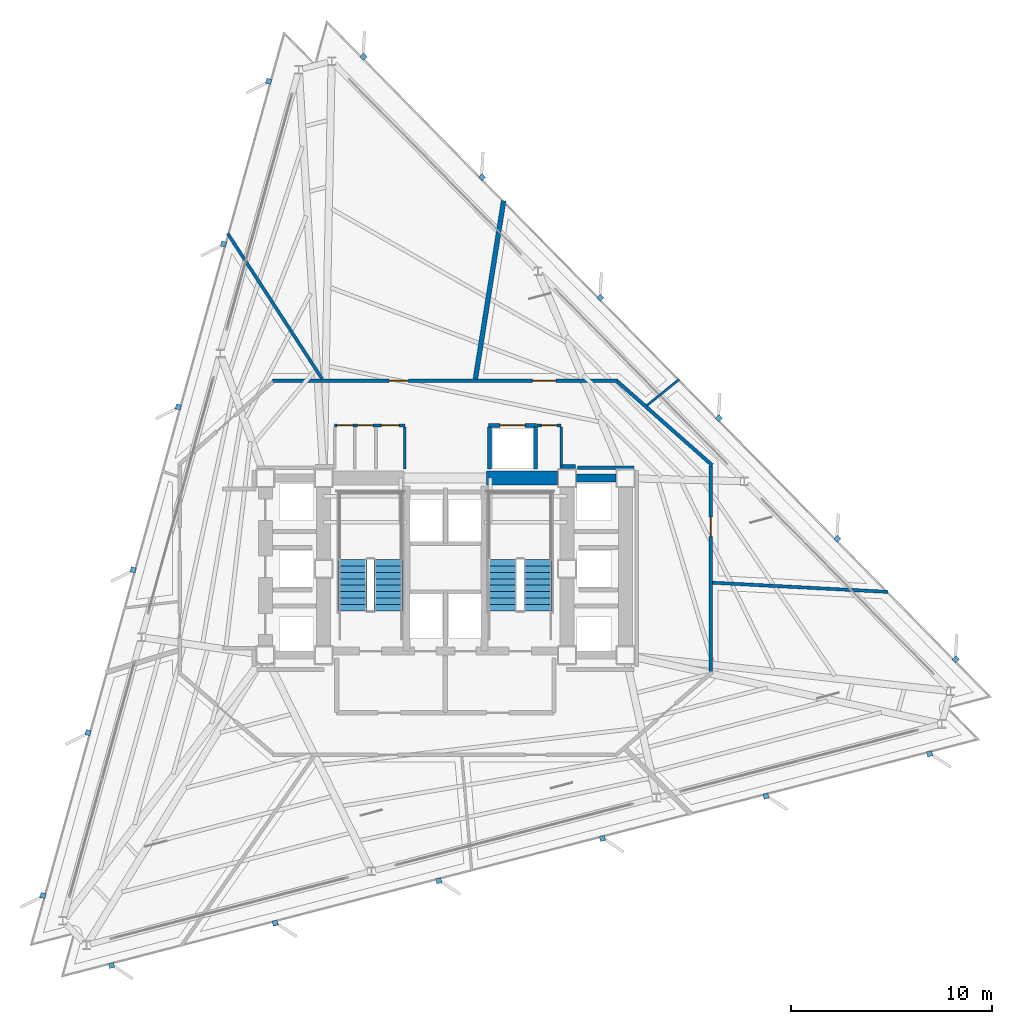
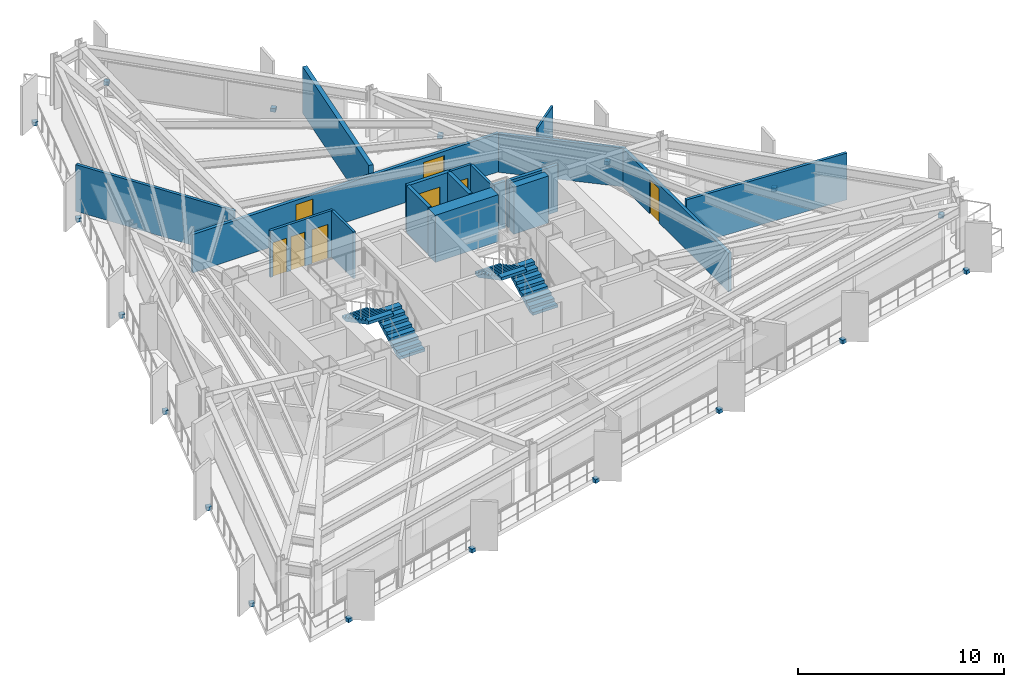
# One storey, part 8 of 11: 18 discrete accessories, 18 walls, 8 doors, 4 stair flights, 8 openings, 2 elements without a shape of their own.
"""IFC4 building model written with IfcOpenShell, lengths in metres."""

from ifc_helpers import new_model, si_unit, direction, frame, frame_2d, origin, origin_2d, place, context, subcontext, project, spatial, polyline, rectangle, outline, extrude, material, layer, layer_set, type_object, element, fill, aggregate, save


model = new_model("IFC4")

# Units and contexts
model_context = context("Model", 3, precision=1e-05, world=origin(), true_north=direction((0.0, 1.0)))
body_context = subcontext(model_context, "Body", "Model", "MODEL_VIEW")
ifc_project = project(units=[si_unit("LENGTHUNIT", "METRE"), si_unit("AREAUNIT", "SQUARE_METRE"), si_unit("VOLUMEUNIT", "CUBIC_METRE"), si_unit("PLANEANGLEUNIT", "RADIAN"), si_unit("MASSUNIT", "GRAM", prefix="KILO")], contexts=[model_context])

# Site, building, storey
site_placement = place(None, origin())
site = spatial("IfcSite", under=ifc_project, at=site_placement, CompositionType="ELEMENT")
building_placement = place(site_placement, origin())
building = spatial("IfcBuilding", under=site, at=building_placement, Name="Rocaltana Carrier Exchange", CompositionType="ELEMENT")
storey_placement = place(building_placement, frame((0.0, 0.0, 91.679931640625)))
storey = spatial("IfcBuildingStorey", under=building, at=storey_placement, Name="L28", CompositionType="ELEMENT", Elevation=91.679931640625)

# Walls
ifc_material_1 = material(Name="Double Acoustic Gypsum Partition", Category="gypsum")
ifc_layer_1 = layer(ifc_material_1, 0.159912109375)
ifc_layer_set_1 = layer_set([ifc_layer_1], Name="Double Acoustic Gypsum Partition")
wall_type_1 = type_object("IfcWallType", Name="Acoustic Studio Partition 160 EI60", PredefinedType="PARTITIONING", material=ifc_layer_set_1)
wall_1_placement = place(storey_placement, frame((13.280029296875, -0.696044921875, 0.0), z_axis=(0.0, 0.0, 1.0), x_axis=(0.998630385284, -0.052319724644, 0.0)))
element("IfcWall", 1, at=wall_1_placement, inside=storey, type_object=wall_type_1, Name="L28 Suite Divider Wall D6", PredefinedType="PARTITIONING", context=body_context, shape_type="SweptSolid", body=[
    extrude(rectangle(XDim=8.7353515625, YDim=0.159912109375, at=frame_2d((4.36767578125, 0.0))), origin(), (0.0, 0.0, 1.0), 2.76318359375),
])
wall_2_placement = place(storey_placement, frame((-6.123779296875, 9.429931640625, 0.0), z_axis=(0.0, 0.0, 1.0), x_axis=(-0.544640325453, 0.838669729924, 0.0)))
element("IfcWall", 2, at=wall_2_placement, inside=storey, type_object=wall_type_1, Name="L28 Suite Divider Wall D9", PredefinedType="PARTITIONING", context=body_context, shape_type="SweptSolid", body=[
    extrude(rectangle(XDim=8.63134765625, YDim=0.159912109375, at=frame_2d((4.315673828125, 0.0))), origin(), (0.0, 0.0, 1.0), 2.76318359375),
])
ifc_material_2 = material(Name="Concrete C50/60", Category="concrete")
ifc_layer_2 = layer(ifc_material_2, 0.39990234375)
ifc_layer_set_2 = layer_set([ifc_layer_2], Name="Concrete C50/60")
wall_type_2 = type_object("IfcWallType", Name="Core Internal Shear Wall 400", PredefinedType="SHEAR", material=ifc_layer_set_2)
wall_3_placement = place(storey_placement, frame((6.52490234375, 4.5, 0.0), z_axis=(0.0, 0.0, 1.0), x_axis=(1.0, 0.0, 0.0)))
element("IfcWall", 3, at=wall_3_placement, inside=storey, type_object=wall_type_2, Name="L28 Core Shear Wall CW-EWN", PredefinedType="SHEAR", context=body_context, shape_type="SweptSolid", body=[
    extrude(rectangle(XDim=1.9501953125, YDim=0.39990234375, at=frame_2d((0.97509765625, 0.0))), origin(), (0.0, 0.0, 1.0), 2.7880859375),
])
ifc_material_3 = material(Name="Concrete C60/75", Category="concrete")
ifc_layer_3 = layer(ifc_material_3, 0.699951171875)
ifc_layer_set_3 = layer_set([ifc_layer_3], Name="Concrete C60/75")
wall_type_3 = type_object("IfcWallType", Name="Core Shear Wall 700", PredefinedType="SHEAR", material=ifc_layer_set_3)
wall_4_placement = place(storey_placement, frame((2.050048828125, 4.5, 0.0), z_axis=(0.0, 0.0, 1.0), x_axis=(1.0, 0.0, 0.0)))
element("IfcWall", 4, at=wall_4_placement, inside=storey, type_object=wall_type_3, Name="L28 Core Shear Wall CW-N2", PredefinedType="SHEAR", context=body_context, shape_type="SweptSolid", body=[
    extrude(rectangle(XDim=3.52490234375, YDim=0.699951171875, at=frame_2d((1.762451171875, 0.0))), origin(), (0.0, 0.0, 1.0), 2.7880859375),
])

# Wall, openings, doors
ifc_material_4 = material(Name="Gypsum & Steel Stud Partition", Category="steel")
ifc_layer_4 = layer(ifc_material_4, 0.179931640625)
ifc_layer_set_4 = layer_set([ifc_layer_4], Name="Gypsum & Steel Stud Partition")
wall_type_4 = type_object("IfcWallType", Name="Corridor Fire Partition 180 EI60", PredefinedType="PARTITIONING", material=ifc_layer_set_4)
wall_5_placement = place(storey_placement, frame((-8.590087890625, 9.35009765625, 0.0), z_axis=(0.0, 0.0, 1.0), x_axis=(1.0, 0.0, 0.0)))
wall_5 = element("IfcWall", 5, at=wall_5_placement, inside=storey, type_object=wall_type_4, Name="L28 Corridor Partition 1", PredefinedType="PARTITIONING", context=body_context, shape_type="SweptSolid", body=[
    extrude(rectangle(XDim=17.18017578125, YDim=0.179931640625, at=frame_2d((8.590087890625, 0.0))), origin(), (0.0, 0.0, 1.0), 2.277099609375),
])
opening_1_placement = place(wall_5_placement, frame((12.911865234375, 0.0, 0.0)))
opening_1 = element("IfcOpeningElement", 6, at=opening_1_placement, cuts=wall_5, Name="Opening D-SU120", PredefinedType="OPENING", context=body_context, shape_type="SweptSolid", body=[
    extrude(rectangle(XDim=1.179931640625, YDim=2.02001953125, at=frame_2d((0.58984375, 1.010009765625))), frame((0.0, 0.099853515625, 0.0), z_axis=(0.0, -1.0, 0.0), x_axis=(1.0, 0.0, 0.0)), (0.0, 0.0, 1.0), 0.199951171875),
])
opening_2_placement = place(wall_5_placement, frame((5.78955078125, 0.0, 0.0)))
opening_2 = element("IfcOpeningElement", 7, at=opening_2_placement, cuts=wall_5, Name="Opening D-RM098", PredefinedType="OPENING", context=body_context, shape_type="SweptSolid", body=[
    extrude(rectangle(XDim=0.9599609375, YDim=2.02001953125, at=frame_2d((0.47998046875, 1.010009765625))), frame((0.0, 0.099853515625, 0.0), z_axis=(0.0, -1.0, 0.0), x_axis=(1.0, 0.0, 0.0)), (0.0, 0.0, 1.0), 0.199951171875),
])
ifc_material_5 = material(Name="Engineered Hardwood Timber", Category="wood")
door_type_1 = type_object("IfcDoorType", Name="Suite Double Entrance Door 1180x2020", OperationType="NOTDEFINED", PredefinedType="DOOR", material=ifc_material_5)
door_1_placement = place(opening_1_placement, origin())
door_1 = element("IfcDoor", 8, at=door_1_placement, inside=storey, type_object=door_type_1, Name="L28 Carrier Peering Suite Entrance Door", OperationType="SINGLE_SWING_RIGHT", OverallHeight=2.02001953125, OverallWidth=1.179931640625, PredefinedType="DOOR", context=body_context, shape_type="SweptSolid", body=[
    extrude(rectangle(XDim=1.179931640625, YDim=2.02001953125, at=frame_2d((0.58984375, 1.010009765625))), frame((0.0, 0.02490234375, 0.0), z_axis=(0.0, -1.0, 0.0), x_axis=(1.0, 0.0, 0.0)), (0.0, 0.0, 1.0), 0.050048828125),
])
fill(opening_1, door_1)
ifc_material_6 = material(Name="Engineered Hardwood Timber", Category="wood")
door_type_2 = type_object("IfcDoorType", Name="Workspace Single Door 960x2020", OperationType="NOTDEFINED", PredefinedType="DOOR", material=ifc_material_6)
door_2_placement = place(opening_2_placement, origin())
door_2 = element("IfcDoor", 9, at=door_2_placement, inside=storey, type_object=door_type_2, Name="L28 Quiet Focus Lounge Entrance Door", OperationType="SINGLE_SWING_LEFT", OverallHeight=2.02001953125, OverallWidth=0.9599609375, PredefinedType="DOOR", context=body_context, shape_type="SweptSolid", body=[
    extrude(rectangle(XDim=0.9599609375, YDim=2.02001953125, at=frame_2d((0.47998046875, 1.010009765625))), frame((0.0, 0.02490234375, 0.0), z_axis=(0.0, -1.0, 0.0), x_axis=(1.0, 0.0, 0.0)), (0.0, 0.0, 1.0), 0.050048828125),
])
fill(opening_2, door_2)

# Wall
wall_6_placement = place(storey_placement, frame((8.5673828125, 9.290283203125, 0.0), z_axis=(0.0, 0.0, 1.0), x_axis=(0.749626463267, -0.66186113768, 0.0)))
element("IfcWall", 10, at=wall_6_placement, inside=storey, type_object=wall_type_4, Name="L28 Corridor Partition 2", PredefinedType="PARTITIONING", context=body_context, shape_type="SweptSolid", body=[
    extrude(rectangle(XDim=6.27001953125, YDim=0.179931640625, at=frame_2d((3.135009765625, 0.0))), origin(), (0.0, 0.0, 1.0), 2.277099609375),
])

# Wall, opening, door
wall_7_placement = place(storey_placement, frame((13.199951171875, 5.110107421875, 0.0), z_axis=(0.0, 0.0, 1.0), x_axis=(0.0, -1.0, 0.0)))
wall_7 = element("IfcWall", 11, at=wall_7_placement, inside=storey, type_object=wall_type_4, Name="L28 Corridor Partition 3", PredefinedType="PARTITIONING", context=body_context, shape_type="SweptSolid", body=[
    extrude(rectangle(XDim=10.22021484375, YDim=0.179931640625, at=frame_2d((5.110107421875, 0.0))), origin(), (0.0, 0.0, 1.0), 2.277099609375),
])
opening_3_placement = place(wall_7_placement, frame((2.552978515625, 0.0, 0.0)))
opening_3 = element("IfcOpeningElement", 12, at=opening_3_placement, cuts=wall_7, Name="Opening D-RM098", PredefinedType="OPENING", context=body_context, shape_type="SweptSolid", body=[
    extrude(rectangle(XDim=0.9599609375, YDim=2.02001953125, at=frame_2d((0.47998046875, 1.010009765625))), frame((0.0, 0.099853515625, 0.0), z_axis=(0.0, -1.0, 0.0), x_axis=(1.0, 0.0, 0.0)), (0.0, 0.0, 1.0), 0.199951171875),
])
door_3_placement = place(opening_3_placement, origin())
door_3 = element("IfcDoor", 13, at=door_3_placement, inside=storey, type_object=door_type_2, Name="L28 Peering Conference Room Entrance Door", OperationType="SINGLE_SWING_LEFT", OverallHeight=2.02001953125, OverallWidth=0.9599609375, PredefinedType="DOOR", context=body_context, shape_type="SweptSolid", body=[
    extrude(rectangle(XDim=0.9599609375, YDim=2.02001953125, at=frame_2d((0.47998046875, 1.010009765625))), frame((0.0, 0.02490234375, 0.0), z_axis=(0.0, -1.0, 0.0), x_axis=(1.0, 0.0, 0.0)), (0.0, 0.0, 1.0), 0.050048828125),
])
fill(opening_3, door_3)

# Walls
wall_8_placement = place(storey_placement, frame((9.3701171875, 5.010009765625, 0.0), z_axis=(0.0, 0.0, 1.0), x_axis=(-1.0, 0.0, 0.0)))
element("IfcWall", 14, at=wall_8_placement, inside=storey, type_object=wall_type_4, Name="L28 Corridor Partition 18", PredefinedType="PARTITIONING", context=body_context, shape_type="SweptSolid", body=[
    extrude(rectangle(XDim=2.807861328125, YDim=0.179931640625, at=frame_2d((1.40380859375, 0.0))), origin(), (0.0, 0.0, 1.0), 2.76318359375),
])
wall_9_placement = place(storey_placement, frame((6.469970703125, 5.080078125, 0.0), z_axis=(0.0, 0.0, 1.0), x_axis=(-1.0, 0.0, 0.0)))
element("IfcWall", 15, at=wall_9_placement, inside=storey, type_object=wall_type_4, Name="L28 Corridor Partition 19", PredefinedType="PARTITIONING", context=body_context, shape_type="SweptSolid", body=[
    extrude(rectangle(XDim=0.679931640625, YDim=0.179931640625, at=frame_2d((0.33984375, 0.0))), origin(), (0.0, 0.0, 1.0), 2.76318359375),
])
ifc_material_7 = material(Name="Aluminium 6063-T6 & Acoustic Glass", Category="aluminium")
ifc_layer_5 = layer(ifc_material_7, 0.114990234375)
ifc_layer_set_5 = layer_set([ifc_layer_5], Name="Aluminium 6063-T6 & Acoustic Glass")
wall_type_5 = type_object("IfcWallType", Name="Demountable Glazed Lab Partition 115", PredefinedType="MOVABLE", material=ifc_layer_set_5)
wall_10_placement = place(storey_placement, frame((10.020263671875, 8.1142578125, 0.0), z_axis=(0.0, 0.0, 1.0), x_axis=(0.777156579316, 0.62930727886, 0.0)))
element("IfcWall", 16, at=wall_10_placement, inside=storey, type_object=wall_type_5, Name="L28 Suite Divider Wall D7", PredefinedType="MOVABLE", context=body_context, shape_type="SweptSolid", body=[
    extrude(rectangle(XDim=2.060791015625, YDim=0.114990234375, at=frame_2d((1.0302734375, 0.0))), origin(), (0.0, 0.0, 1.0), 2.76318359375),
])
ifc_material_8 = material(Name="Acoustic Calcium Silicate Partition", Category="gypsum")
ifc_layer_6 = layer(ifc_material_8, 0.239990234375)
ifc_layer_set_6 = layer_set([ifc_layer_6], Name="Acoustic Calcium Silicate Partition")
wall_type_6 = type_object("IfcWallType", Name="Heavy Lab Partition 240 EI90", PredefinedType="PARTITIONING", material=ifc_layer_set_6)
wall_11_placement = place(storey_placement, frame((1.49365234375, 9.429931640625, 0.0), z_axis=(0.0, 0.0, 1.0), x_axis=(0.156413985488, 0.98769158402, 0.0)))
element("IfcWall", 17, at=wall_11_placement, inside=storey, type_object=wall_type_6, Name="L28 Suite Divider Wall D8", PredefinedType="PARTITIONING", context=body_context, shape_type="SweptSolid", body=[
    extrude(rectangle(XDim=8.97021484375, YDim=0.239990234375, at=frame_2d((4.485107421875, 0.0))), origin(), (0.0, 0.0, 1.0), 2.76318359375),
])
ifc_material_9 = material(Name="Reinforced Concrete Block C35/45", Category="concrete")
ifc_layer_7 = layer(ifc_material_9, 0.199951171875)
ifc_layer_set_7 = layer_set([ifc_layer_7], Name="Reinforced Concrete Block C35/45")
wall_type_7 = type_object("IfcWallType", Name="Lift Hoistway Enclosure Wall 200 EI120", PredefinedType="PARTITIONING", material=ifc_layer_set_7)
for number, where, z_axis, x_axis, name in (
    (18, (2.199951171875, 4.949951171875, 0.0), (0.0, 0.0, 1.0), (0.0, 1.0, 0.0), "L28 Goods Lift West Wall"),
    (19, (4.47998046875, 4.949951171875, 0.0), (0.0, 0.0, 1.0), (0.0, 1.0, 0.0), "L28 Goods Lift East Wall"),
):
    element("IfcWall", number, at=place(storey_placement, frame(where, z_axis=z_axis, x_axis=x_axis)), inside=storey, type_object=wall_type_7, Name=name, PredefinedType="PARTITIONING", context=body_context, shape_type="SweptSolid", body=[
        extrude(rectangle(XDim=2.10009765625, YDim=0.199951171875, at=frame_2d((1.050048828125, 0.0))), origin(), (0.0, 0.0, 1.0), 2.76318359375),
    ])

# Wall, opening, door
wall_12_placement = place(storey_placement, frame((2.14990234375, 7.1201171875, 0.0), z_axis=(0.0, 0.0, 1.0), x_axis=(1.0, 0.0, 0.0)))
wall_12 = element("IfcWall", 20, at=wall_12_placement, inside=storey, type_object=wall_type_7, Name="L28 Goods Lift Front Wall", PredefinedType="PARTITIONING", context=body_context, shape_type="SweptSolid", body=[
    extrude(rectangle(XDim=2.380126953125, YDim=0.199951171875, at=frame_2d((1.18994140625, 0.0))), origin(), (0.0, 0.0, 1.0), 2.76318359375),
])
opening_4_placement = place(wall_12_placement, frame((0.56005859375, 0.0, 0.0)))
opening_4 = element("IfcOpeningElement", 21, at=opening_4_placement, cuts=wall_12, Name="Opening LD-130", PredefinedType="OPENING", context=body_context, shape_type="SweptSolid", body=[
    extrude(rectangle(XDim=1.260009765625, YDim=2.06005859375, at=frame_2d((0.6298828125, 1.030029296875))), frame((0.0, 0.10986328125, 0.0), z_axis=(0.0, -1.0, 0.0), x_axis=(1.0, 0.0, 0.0)), (0.0, 0.0, 1.0), 0.219970703125),
])
ifc_material_10 = material(Name="Brushed Stainless Sliding Door Leaf", Category="steel")
door_type_3 = type_object("IfcDoorType", Name="Goods Lift Landing Sliding Door 1260x2060", OperationType="NOTDEFINED", PredefinedType="DOOR", material=ifc_material_10)
door_4_placement = place(opening_4_placement, origin())
door_4 = element("IfcDoor", 22, at=door_4_placement, inside=storey, type_object=door_type_3, Name="L28 Goods Lift GL-1 Landing Door", OperationType="SLIDING_TO_LEFT", OverallHeight=2.06005859375, OverallWidth=1.260009765625, PredefinedType="DOOR", context=body_context, shape_type="SweptSolid", body=[
    extrude(rectangle(XDim=1.260009765625, YDim=2.06005859375, at=frame_2d((0.6298828125, 1.030029296875))), frame((0.0, 0.02490234375, 0.0), z_axis=(0.0, -1.0, 0.0), x_axis=(1.0, 0.0, 0.0)), (0.0, 0.0, 1.0), 0.050048828125),
])
fill(opening_4, door_4)

# Wall
ifc_material_11 = material(Name="Moisture-Resistant Masonry C30/37", Category="masonry")
ifc_layer_8 = layer(ifc_material_11, 0.139892578125)
ifc_layer_set_8 = layer_set([ifc_layer_8], Name="Moisture-Resistant Masonry C30/37")
wall_type_8 = type_object("IfcWallType", Name="Wet-Area Sanitary Partition 140", PredefinedType="PARTITIONING", material=ifc_layer_set_8)
wall_13_placement = place(storey_placement, frame((-2.02001953125, 4.949951171875, 0.0), z_axis=(0.0, 0.0, 1.0), x_axis=(0.0, 1.0, 0.0)))
element("IfcWall", 23, at=wall_13_placement, inside=storey, type_object=wall_type_8, Name="L28 Sanitary East Wall", PredefinedType="PARTITIONING", context=body_context, shape_type="SweptSolid", body=[
    extrude(rectangle(XDim=2.10009765625, YDim=0.139892578125, at=frame_2d((1.050048828125, 0.0))), origin(), (0.0, 0.0, 1.0), 2.76318359375),
])

# Wall, openings, doors
wall_14_placement = place(storey_placement, frame((-5.52001953125, 7.1201171875, 0.0), z_axis=(0.0, 0.0, 1.0), x_axis=(1.0, 0.0, 0.0)))
wall_14 = element("IfcWall", 24, at=wall_14_placement, inside=storey, type_object=wall_type_8, Name="L28 Sanitary North Wall", PredefinedType="PARTITIONING", context=body_context, shape_type="SweptSolid", body=[
    extrude(rectangle(XDim=3.52001953125, YDim=0.139892578125, at=frame_2d((1.760009765625, 0.0))), origin(), (0.0, 0.0, 1.0), 2.76318359375),
])
opening_5_placement = place(wall_14_placement, frame((0.139892578125, 0.0, 0.0)))
opening_5 = element("IfcOpeningElement", 25, at=opening_5_placement, cuts=wall_14, Name="Opening D-RS082", PredefinedType="OPENING", context=body_context, shape_type="SweptSolid", body=[
    extrude(rectangle(XDim=0.780029296875, YDim=2.010009765625, at=frame_2d((0.39013671875, 1.0048828125))), frame((0.0, 0.079833984375, 0.0), z_axis=(0.0, -1.0, 0.0), x_axis=(1.0, 0.0, 0.0)), (0.0, 0.0, 1.0), 0.159912109375),
])
opening_6_placement = place(wall_14_placement, frame((1.14990234375, 0.0, 0.0)))
opening_6 = element("IfcOpeningElement", 26, at=opening_6_placement, cuts=wall_14, Name="Opening D-RS082", PredefinedType="OPENING", context=body_context, shape_type="SweptSolid", body=[
    extrude(rectangle(XDim=0.780029296875, YDim=2.010009765625, at=frame_2d((0.39013671875, 1.0048828125))), frame((0.0, 0.079833984375, 0.0), z_axis=(0.0, -1.0, 0.0), x_axis=(1.0, 0.0, 0.0)), (0.0, 0.0, 1.0), 0.159912109375),
])
opening_7_placement = place(wall_14_placement, frame((2.340087890625, 0.0, 0.0)))
opening_7 = element("IfcOpeningElement", 27, at=opening_7_placement, cuts=wall_14, Name="Opening D-WC090", PredefinedType="OPENING", context=body_context, shape_type="SweptSolid", body=[
    extrude(rectangle(XDim=0.8798828125, YDim=2.02001953125, at=frame_2d((0.43994140625, 1.010009765625))), frame((0.0, 0.079833984375, 0.0), z_axis=(0.0, -1.0, 0.0), x_axis=(1.0, 0.0, 0.0)), (0.0, 0.0, 1.0), 0.159912109375),
])
ifc_material_12 = material(Name="High-Pressure Laminate Timber", Category="wood")
door_type_4 = type_object("IfcDoorType", Name="Restroom & Accessible WC Door 880x2020", OperationType="NOTDEFINED", PredefinedType="DOOR", material=ifc_material_12)
door_5_placement = place(opening_7_placement, origin())
door_5 = element("IfcDoor", 28, at=door_5_placement, inside=storey, type_object=door_type_4, Name="L28 Accessible Toilet Door", OperationType="SINGLE_SWING_RIGHT", OverallHeight=2.02001953125, OverallWidth=0.8798828125, PredefinedType="DOOR", context=body_context, shape_type="SweptSolid", body=[
    extrude(rectangle(XDim=0.8798828125, YDim=2.02001953125, at=frame_2d((0.43994140625, 1.010009765625))), frame((0.0, 0.02490234375, 0.0), z_axis=(0.0, -1.0, 0.0), x_axis=(1.0, 0.0, 0.0)), (0.0, 0.0, 1.0), 0.050048828125),
])
fill(opening_7, door_5)
ifc_material_13 = material(Name="Hollow Metal Access Door Leaf", Category="steel")
door_type_5 = type_object("IfcDoorType", Name="Riser & Service Closet Door 780x2010", OperationType="NOTDEFINED", PredefinedType="DOOR", material=ifc_material_13)
door_6_placement = place(opening_5_placement, origin())
door_6 = element("IfcDoor", 29, at=door_6_placement, inside=storey, type_object=door_type_5, Name="L28 Cleaner Store Door", OperationType="SINGLE_SWING_RIGHT", OverallHeight=2.010009765625, OverallWidth=0.780029296875, PredefinedType="DOOR", context=body_context, shape_type="SweptSolid", body=[
    extrude(rectangle(XDim=0.780029296875, YDim=2.010009765625, at=frame_2d((0.39013671875, 1.0048828125))), frame((0.0, 0.02490234375, 0.0), z_axis=(0.0, -1.0, 0.0), x_axis=(1.0, 0.0, 0.0)), (0.0, 0.0, 1.0), 0.050048828125),
])
fill(opening_5, door_6)
door_7_placement = place(opening_6_placement, origin())
door_7 = element("IfcDoor", 30, at=door_7_placement, inside=storey, type_object=door_type_5, Name="L28 Staff Restroom Door", OperationType="SINGLE_SWING_LEFT", OverallHeight=2.010009765625, OverallWidth=0.780029296875, PredefinedType="DOOR", context=body_context, shape_type="SweptSolid", body=[
    extrude(rectangle(XDim=0.780029296875, YDim=2.010009765625, at=frame_2d((0.39013671875, 1.0048828125))), frame((0.0, 0.02490234375, 0.0), z_axis=(0.0, -1.0, 0.0), x_axis=(1.0, 0.0, 0.0)), (0.0, 0.0, 1.0), 0.050048828125),
])
fill(opening_6, door_7)

# Wall
wall_15_placement = place(storey_placement, frame((5.760009765625, 4.949951171875, 0.0), z_axis=(0.0, 0.0, 1.0), x_axis=(0.0, 1.0, 0.0)))
element("IfcWall", 31, at=wall_15_placement, inside=storey, type_object=wall_type_8, Name="L28 Riser East Wall", PredefinedType="PARTITIONING", context=body_context, shape_type="SweptSolid", body=[
    extrude(rectangle(XDim=2.10009765625, YDim=0.139892578125, at=frame_2d((1.050048828125, 0.0))), origin(), (0.0, 0.0, 1.0), 2.76318359375),
])

# Wall, opening, door
wall_16_placement = place(storey_placement, frame((4.56005859375, 7.1201171875, 0.0), z_axis=(0.0, 0.0, 1.0), x_axis=(1.0, 0.0, 0.0)))
wall_16 = element("IfcWall", 32, at=wall_16_placement, inside=storey, type_object=wall_type_8, Name="L28 Riser North Wall", PredefinedType="PARTITIONING", context=body_context, shape_type="SweptSolid", body=[
    extrude(rectangle(XDim=1.199951171875, YDim=0.139892578125, at=frame_2d((0.60009765625, 0.0))), origin(), (0.0, 0.0, 1.0), 2.76318359375),
])
opening_8_placement = place(wall_16_placement, frame((0.2099609375, 0.0, 0.0)))
opening_8 = element("IfcOpeningElement", 33, at=opening_8_placement, cuts=wall_16, Name="Opening D-RS082", PredefinedType="OPENING", context=body_context, shape_type="SweptSolid", body=[
    extrude(rectangle(XDim=0.780029296875, YDim=2.010009765625, at=frame_2d((0.39013671875, 1.0048828125))), frame((0.0, 0.079833984375, 0.0), z_axis=(0.0, -1.0, 0.0), x_axis=(1.0, 0.0, 0.0)), (0.0, 0.0, 1.0), 0.159912109375),
])
door_8_placement = place(opening_8_placement, origin())
door_8 = element("IfcDoor", 34, at=door_8_placement, inside=storey, type_object=door_type_5, Name="L28 Signal Riser Closet Door", OperationType="SINGLE_SWING_LEFT", OverallHeight=2.010009765625, OverallWidth=0.780029296875, PredefinedType="DOOR", context=body_context, shape_type="SweptSolid", body=[
    extrude(rectangle(XDim=0.780029296875, YDim=2.010009765625, at=frame_2d((0.39013671875, 1.0048828125))), frame((0.0, 0.02490234375, 0.0), z_axis=(0.0, -1.0, 0.0), x_axis=(1.0, 0.0, 0.0)), (0.0, 0.0, 1.0), 0.050048828125),
])
fill(opening_8, door_8)

# Stair, stair flights
ifc_material_14 = material(Name="Precast concrete C45/55", Category="concrete")
stair_type = type_object("IfcStairType", Name="Standard Dog-Leg Stair 160", PredefinedType="HALF_TURN_STAIR", material=ifc_material_14)
stair_1_placement = place(storey_placement, origin())
stair_1 = element("IfcStair", 35, at=stair_1_placement, inside=storey, type_object=stair_type, Name="L28 Core West Exit Stair ST-1", PredefinedType="HALF_TURN_STAIR")
ifc_material_15 = material(Name="Precast concrete C45/55", Category="concrete")
stair_flight_type = type_object("IfcStairFlightType", Name="Precast Stair Flight 160", PredefinedType="STRAIGHT", material=ifc_material_15)
stair_flight_1_placement = place(storey_placement, frame((-2.840087890625, -2.10009765625, 0.0), z_axis=(0.0, 0.0, 1.0), x_axis=(0.0, 1.0, 0.0)))
stair_flight_1 = element("IfcStairFlight", 36, at=stair_flight_1_placement, type_object=stair_flight_type, Name="ST-1 flight 1", NumberOfRisers=9, NumberOfTreads=8, PredefinedType="STRAIGHT", RiserHeight=0.168888889, TreadLength=0.32, context=body_context, shape_type="SweptSolid", body=[
    extrude(outline(polyline([(0.0, 0.0), (0.0, 0.1689453125), (0.320068359375, 0.1689453125), (0.320068359375, 0.337890625), (0.639892578125, 0.337890625), (0.639892578125, 0.506591796875), (0.9599609375, 0.506591796875), (0.9599609375, 0.675537109375), (1.280029296875, 0.675537109375), (1.280029296875, 0.844482421875), (1.60009765625, 0.844482421875), (1.60009765625, 1.013427734375), (1.919921875, 1.013427734375), (1.919921875, 1.18212890625), (2.239990234375, 1.18212890625), (2.239990234375, 1.35107421875), (2.56005859375, 1.35107421875), (2.56005859375, 1.52001953125), (2.56005859375, 1.17041015625), (0.342529296875, 0.0), (0.0, 0.0)])), frame((0.0, 0.699951171875, 0.0), z_axis=(0.0, -1.0, 0.0), x_axis=(1.0, 0.0, 0.0)), (0.0, 0.0, 1.0), 1.39990234375),
])
stair_flight_2_placement = place(storey_placement, frame((-4.60009765625, 0.4599609375, 1.52001953125), z_axis=(0.0, 0.0, 1.0), x_axis=(0.0, -1.0, 0.0)))
stair_flight_2 = element("IfcStairFlight", 37, at=stair_flight_2_placement, type_object=stair_flight_type, Name="ST-1 flight 2", NumberOfRisers=9, NumberOfTreads=8, PredefinedType="STRAIGHT", RiserHeight=0.168888889, TreadLength=0.32, context=body_context, shape_type="SweptSolid", body=[
    extrude(outline(polyline([(0.0, 0.0), (0.0, 0.1689453125), (0.320068359375, 0.1689453125), (0.320068359375, 0.337890625), (0.639892578125, 0.337890625), (0.639892578125, 0.506591796875), (0.9599609375, 0.506591796875), (0.9599609375, 0.675537109375), (1.280029296875, 0.675537109375), (1.280029296875, 0.844482421875), (1.60009765625, 0.844482421875), (1.60009765625, 1.013427734375), (1.919921875, 1.013427734375), (1.919921875, 1.18212890625), (2.239990234375, 1.18212890625), (2.239990234375, 1.35107421875), (2.56005859375, 1.35107421875), (2.56005859375, 1.52001953125), (2.56005859375, 1.17041015625), (0.342529296875, 0.0), (0.0, 0.0)])), frame((0.0, 0.699951171875, 0.0), z_axis=(0.0, -1.0, 0.0), x_axis=(1.0, 0.0, 0.0)), (0.0, 0.0, 1.0), 1.39990234375),
])
aggregate(stair_1, [stair_flight_1, stair_flight_2])

stair_2_placement = place(storey_placement, origin())
stair_2 = element("IfcStair", 38, at=stair_2_placement, inside=storey, type_object=stair_type, Name="L28 Core East Exit Stair ST-2", PredefinedType="HALF_TURN_STAIR")
stair_flight_3_placement = place(storey_placement, frame((4.60009765625, -2.10009765625, 0.0), z_axis=(0.0, 0.0, 1.0), x_axis=(0.0, 1.0, 0.0)))
stair_flight_3 = element("IfcStairFlight", 39, at=stair_flight_3_placement, type_object=stair_flight_type, Name="ST-2 flight 1", NumberOfRisers=9, NumberOfTreads=8, PredefinedType="STRAIGHT", RiserHeight=0.168888889, TreadLength=0.32, context=body_context, shape_type="SweptSolid", body=[
    extrude(outline(polyline([(0.0, 0.0), (0.0, 0.1689453125), (0.320068359375, 0.1689453125), (0.320068359375, 0.337890625), (0.639892578125, 0.337890625), (0.639892578125, 0.506591796875), (0.9599609375, 0.506591796875), (0.9599609375, 0.675537109375), (1.280029296875, 0.675537109375), (1.280029296875, 0.844482421875), (1.60009765625, 0.844482421875), (1.60009765625, 1.013427734375), (1.919921875, 1.013427734375), (1.919921875, 1.18212890625), (2.239990234375, 1.18212890625), (2.239990234375, 1.35107421875), (2.56005859375, 1.35107421875), (2.56005859375, 1.52001953125), (2.56005859375, 1.17041015625), (0.342529296875, 0.0), (0.0, 0.0)])), frame((0.0, 0.699951171875, 0.0), z_axis=(0.0, -1.0, 0.0), x_axis=(1.0, 0.0, 0.0)), (0.0, 0.0, 1.0), 1.39990234375),
])
stair_flight_4_placement = place(storey_placement, frame((2.840087890625, 0.4599609375, 1.52001953125), z_axis=(0.0, 0.0, 1.0), x_axis=(0.0, -1.0, 0.0)))
stair_flight_4 = element("IfcStairFlight", 40, at=stair_flight_4_placement, type_object=stair_flight_type, Name="ST-2 flight 2", NumberOfRisers=9, NumberOfTreads=8, PredefinedType="STRAIGHT", RiserHeight=0.168888889, TreadLength=0.32, context=body_context, shape_type="SweptSolid", body=[
    extrude(outline(polyline([(0.0, 0.0), (0.0, 0.1689453125), (0.320068359375, 0.1689453125), (0.320068359375, 0.337890625), (0.639892578125, 0.337890625), (0.639892578125, 0.506591796875), (0.9599609375, 0.506591796875), (0.9599609375, 0.675537109375), (1.280029296875, 0.675537109375), (1.280029296875, 0.844482421875), (1.60009765625, 0.844482421875), (1.60009765625, 1.013427734375), (1.919921875, 1.013427734375), (1.919921875, 1.18212890625), (2.239990234375, 1.18212890625), (2.239990234375, 1.35107421875), (2.56005859375, 1.35107421875), (2.56005859375, 1.52001953125), (2.56005859375, 1.17041015625), (0.342529296875, 0.0), (0.0, 0.0)])), frame((0.0, 0.699951171875, 0.0), z_axis=(0.0, -1.0, 0.0), x_axis=(1.0, 0.0, 0.0)), (0.0, 0.0, 1.0), 1.39990234375),
])
aggregate(stair_2, [stair_flight_3, stair_flight_4])

# Discrete accessories
ifc_material_16 = material(Name="Brushed Architectural Stainless Metal", Category="steel")
ifc_layer_9 = layer(ifc_material_16, 0.219970703125)
ifc_layer_set_9 = layer_set([ifc_layer_9], Name="Brushed Architectural Stainless Metal")
discrete_accessory_type = type_object("IfcDiscreteAccessoryType", Name="Stainless Fin Slab-Edge Bracket 260x260x220", PredefinedType="BRACKET", material=ifc_layer_set_9)
for number, where, z_axis, x_axis, name in (
    (41, (25.371826171875, -4.509765625, -0.2099609375), (0.0, 0.0, 1.0), (-0.7009092643, 0.713250449154, 0.0), "L28 Sandstone Fin Edge Bracket F1-01"),
    (42, (19.484375, 1.481689453125, -0.2099609375), (0.0, 0.0, 1.0), (-0.7009092643, 0.713250449154, 0.0), "L28 Sandstone Fin Edge Bracket F1-02"),
    (43, (13.5966796875, 7.472900390625, -0.2099609375), (0.0, 0.0, 1.0), (-0.7009092643, 0.713250449154, 0.0), "L28 Sandstone Fin Edge Bracket F1-03"),
    (44, (7.708984375, 13.464111328125, -0.2099609375), (0.0, 0.0, 1.0), (-0.7009092643, 0.713250449154, 0.0), "L28 Sandstone Fin Edge Bracket F1-04"),
    (45, (1.8212890625, 19.45556640625, -0.2099609375), (0.0, 0.0, 1.0), (-0.7009092643, 0.713250449154, 0.0), "L28 Sandstone Fin Edge Bracket F1-05"),
    (46, (-4.066162109375, 25.44677734375, -0.2099609375), (0.0, 0.0, 1.0), (-0.7009092643, 0.713250449154, 0.0), "L28 Sandstone Fin Edge Bracket F1-06"),
    (47, (-8.780517578125, 24.2275390625, -0.2099609375), (0.0, 0.0, 1.0), (-0.267238376078, -0.963630453209, 0.0), "L28 Sandstone Fin Edge Bracket F2-01"),
    (48, (-11.025146484375, 16.133056640625, -0.2099609375), (0.0, 0.0, 1.0), (-0.267238376078, -0.963630453209, 0.0), "L28 Sandstone Fin Edge Bracket F2-02"),
    (49, (-13.27001953125, 8.03857421875, -0.2099609375), (0.0, 0.0, 1.0), (-0.267238376078, -0.963630453209, 0.0), "L28 Sandstone Fin Edge Bracket F2-03"),
    (50, (-15.514892578125, -0.055908203125, -0.2099609375), (0.0, 0.0, 1.0), (-0.267238376078, -0.963630453209, 0.0), "L28 Sandstone Fin Edge Bracket F2-04"),
    (51, (-17.759521484375, -8.150390625, -0.2099609375), (0.0, 0.0, 1.0), (-0.267238376078, -0.963630453209, 0.0), "L28 Sandstone Fin Edge Bracket F2-05"),
    (52, (-20.00439453125, -16.244873046875, -0.2099609375), (0.0, 0.0, 1.0), (-0.267238376078, -0.963630453209, 0.0), "L28 Sandstone Fin Edge Bracket F2-06"),
    (53, (-16.591552734375, -19.718017578125, -0.2099609375), (0.0, 0.0, 1.0), (0.968147640378, 0.250380004054, 0.0), "L28 Sandstone Fin Edge Bracket F3-01"),
    (54, (-8.458984375, -17.61474609375, -0.2099609375), (0.0, 0.0, 1.0), (0.968147640378, 0.250380004054, 0.0), "L28 Sandstone Fin Edge Bracket F3-02"),
    (55, (-0.32666015625, -15.511474609375, -0.2099609375), (0.0, 0.0, 1.0), (0.968147640378, 0.250380004054, 0.0), "L28 Sandstone Fin Edge Bracket F3-03"),
    (56, (7.805908203125, -13.408203125, -0.2099609375), (0.0, 0.0, 1.0), (0.968147640378, 0.250380004054, 0.0), "L28 Sandstone Fin Edge Bracket F3-04"),
    (57, (15.938232421875, -11.30517578125, -0.2099609375), (0.0, 0.0, 1.0), (0.968147640378, 0.250380004054, 0.0), "L28 Sandstone Fin Edge Bracket F3-05"),
    (58, (24.07080078125, -9.201904296875, -0.2099609375), (0.0, 0.0, 1.0), (0.968147640378, 0.250380004054, 0.0), "L28 Sandstone Fin Edge Bracket F3-06"),
):
    element("IfcDiscreteAccessory", number, at=place(storey_placement, frame(where, z_axis=z_axis, x_axis=x_axis)), inside=storey, type_object=discrete_accessory_type, Name=name, PredefinedType="BRACKET", context=body_context, shape_type="SweptSolid", body=[
        extrude(rectangle(XDim=0.260009765625, YDim=0.260009765625, at=origin_2d()), origin(), (0.0, 0.0, 1.0), 0.219970703125),
    ])

save(model, "model.ifc")
